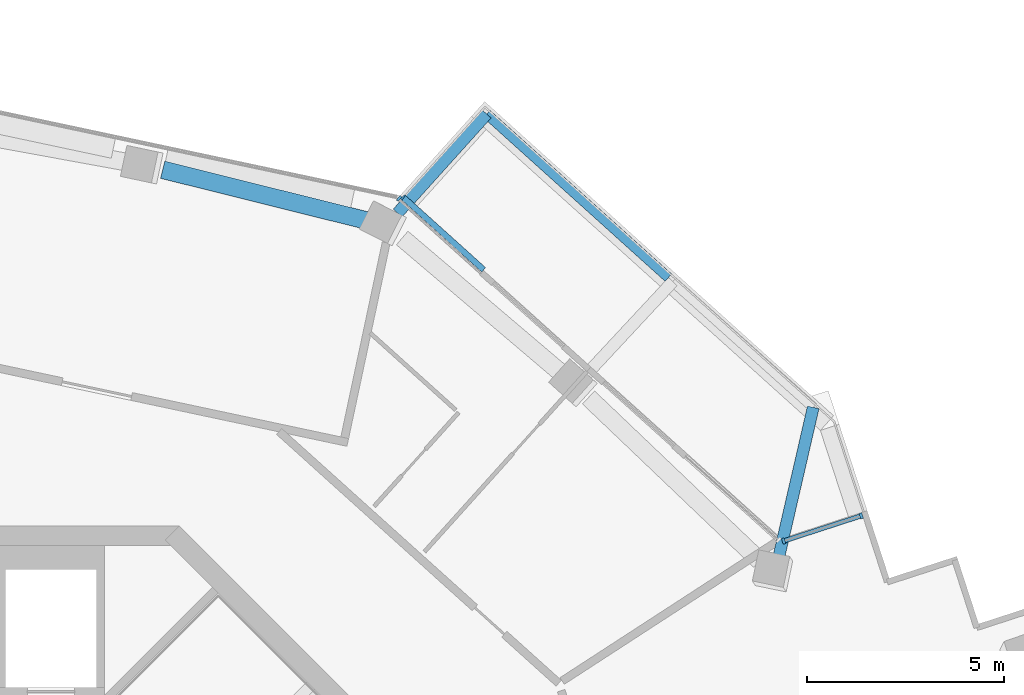
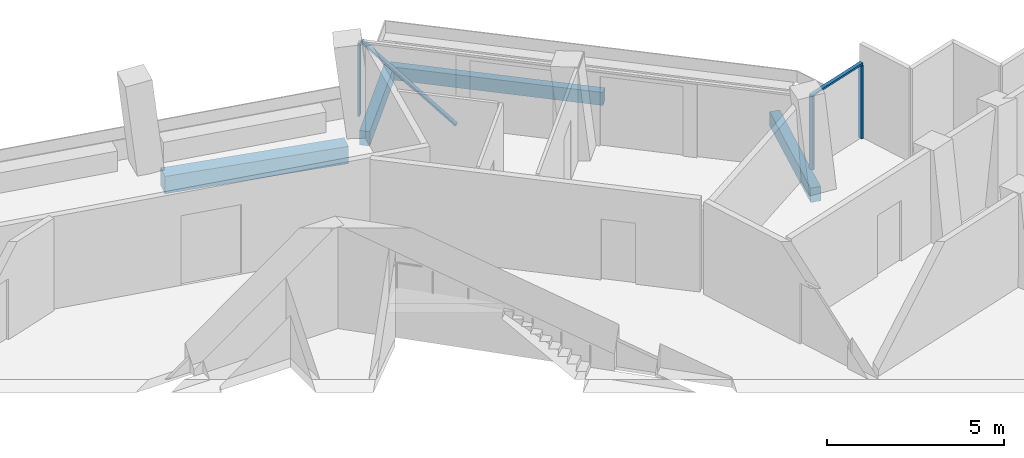
# One storey, part 9 of 22: 5 members, 4 beams, 2 elements without a shape of their own.
"""IFC4 building model written with IfcOpenShell, lengths in metres."""

from ifc_helpers import new_model, si_unit, direction, frame, origin, origin_2d, place, context, subcontext, project, spatial, rectangle, extrude, material, layer, layer_set, material_profile, profile_set, type_object, element, aggregate, save


model = new_model("IFC4")

# Units and contexts
model_context = context("Model", 3, precision=1e-05, world=origin(), true_north=direction((0.0, 1.0)))
body_context = subcontext(model_context, "Body", "Model", "MODEL_VIEW")
ifc_project = project(units=[si_unit("LENGTHUNIT", "METRE"), si_unit("AREAUNIT", "SQUARE_METRE"), si_unit("VOLUMEUNIT", "CUBIC_METRE"), si_unit("PLANEANGLEUNIT", "RADIAN"), si_unit("MASSUNIT", "GRAM", prefix="KILO")], contexts=[model_context])

# Site, building, storey
site_placement = place(None, origin())
site = spatial("IfcSite", under=ifc_project, at=site_placement, CompositionType="ELEMENT")
building_placement = place(site_placement, origin())
building = spatial("IfcBuilding", under=site, at=building_placement, Name="Verdalira Terraces Hotel", CompositionType="ELEMENT")
storey_placement = place(building_placement, frame((0.0, 0.0, 230.5)))
storey = spatial("IfcBuildingStorey", under=building, at=storey_placement, Name="L56", CompositionType="ELEMENT", Elevation=230.5)

# Beams
ifc_material_1 = material(Name="Concrete C40", Category="concrete")
ifc_material_profile_1 = material_profile(ifc_material_1, rectangle(XDim=0.300049, YDim=0.5, at=origin_2d()), Name="RC 300X500")
ifc_profile_set_1 = profile_set([ifc_material_profile_1], Name="Concrete C40")
beam_type_1 = type_object("IfcBeamType", Name="Balcony cantilever beam RC 300X500 C40", PredefinedType="BEAM", material=ifc_profile_set_1)
beam_1_placement = place(storey_placement, frame((20.983643, 13.155762, -0.560059), z_axis=(0.22424103, 0.974533714, 0.0), x_axis=(-0.974533714, 0.22424103, 0.0)))
element("IfcBeam", 1, at=beam_1_placement, inside=storey, type_object=beam_type_1, Name="Balcony cantilever beam R38-1", PredefinedType="BEAM", context=body_context, shape_type="SweptSolid", body=[
    extrude(rectangle(XDim=0.300049, YDim=0.5, at=origin_2d()), origin(), (0.0, 0.0, 1.0), 3.949951),
])
beam_2_placement = place(storey_placement, frame((11.333496, 21.928711, -0.560059), z_axis=(0.669140376, 0.743136029, 0.0), x_axis=(-0.743136029, 0.669140376, 0.0)))
element("IfcBeam", 2, at=beam_2_placement, inside=storey, type_object=beam_type_1, Name="Balcony cantilever beam R38-3", PredefinedType="BEAM", context=body_context, shape_type="SweptSolid", body=[
    extrude(rectangle(XDim=0.300049, YDim=0.5, at=origin_2d()), origin(), (0.0, 0.0, 1.0), 3.378662),
])
ifc_material_2 = material(Name="Concrete C40", Category="concrete")
ifc_material_profile_2 = material_profile(ifc_material_2, rectangle(XDim=0.25, YDim=0.449951, at=origin_2d()), Name="RC 250X450")
ifc_profile_set_2 = profile_set([ifc_material_profile_2], Name="Concrete C40")
beam_type_2 = type_object("IfcBeamType", Name="Balcony edge beam RC 250X450 C40", PredefinedType="BEAM", material=ifc_profile_set_2)
beam_3_placement = place(storey_placement, frame((18.19873, 20.293457, -0.534912), z_axis=(-0.743137385, 0.669138869, 0.0), x_axis=(-0.669138869, -0.743137385, 0.0)))
element("IfcBeam", 3, at=beam_3_placement, inside=storey, type_object=beam_type_2, Name="Balcony edge beam R38-2", PredefinedType="BEAM", context=body_context, shape_type="SweptSolid", body=[
    extrude(rectangle(XDim=0.25, YDim=0.449951, at=origin_2d()), origin(), (0.0, 0.0, 1.0), 6.196045),
])

# Curtain wall, member
ifc_material_3 = material(Name="Clear glass", Category="glass")
ifc_layer_1 = layer(ifc_material_3, 0.14990234375)
ifc_layer_set_1 = layer_set([ifc_layer_1], Name="CW1 curtain wall")
curtain_wall_type_1 = type_object("IfcCurtainWallType", Name="CW1 curtain wall", PredefinedType="NOTDEFINED", material=ifc_layer_set_1)
curtain_wall_1_placement = place(storey_placement, origin())
curtain_wall_1 = element("IfcCurtainWall", 4, at=curtain_wall_1_placement, inside=storey, type_object=curtain_wall_type_1, Name="CW1 curtain wall L56 edge 39", PredefinedType="NOTDEFINED")
ifc_material_4 = material(Name="Terracotta frame", Category="masonry")
ifc_material_profile_3 = material_profile(ifc_material_4, rectangle(XDim=0.060059, YDim=0.149902, at=origin_2d()), Name="MU 60x150")
ifc_profile_set_3 = profile_set([ifc_material_profile_3], Name="Terracotta frame")
member_type_1 = type_object("IfcMemberType", Name="CW1 mullion 60x150", PredefinedType="MULLION", material=ifc_profile_set_3)
member_1_placement = place(storey_placement, frame((11.373779, 22.301025, 0.0), z_axis=(0.0, 0.0, 1.0), x_axis=(-0.743144825, 0.669130606, 0.0)))
member_1 = element("IfcMember", 5, at=member_1_placement, type_object=member_type_1, Name="CW1 mullion", PredefinedType="MULLION", context=body_context, shape_type="SweptSolid", body=[
    extrude(rectangle(XDim=0.060059, YDim=0.149902, at=origin_2d()), origin(), (0.0, 0.0, 1.0), 2.524902),
])

# Curtain wall, members
ifc_material_5 = material(Name="Clear glass", Category="glass")
ifc_layer_2 = layer(ifc_material_5, 0.14990234375)
ifc_layer_set_2 = layer_set([ifc_layer_2], Name="CW2 curtain wall")
curtain_wall_type_2 = type_object("IfcCurtainWallType", Name="CW2 curtain wall", PredefinedType="NOTDEFINED", material=ifc_layer_set_2)
curtain_wall_2_placement = place(storey_placement, origin())
curtain_wall_2 = element("IfcCurtainWall", 6, at=curtain_wall_2_placement, inside=storey, type_object=curtain_wall_type_2, Name="CW2 curtain wall L56 edge 38", PredefinedType="NOTDEFINED")
ifc_material_6 = material(Name="Terracotta frame", Category="masonry")
ifc_material_profile_4 = material_profile(ifc_material_6, rectangle(XDim=0.070068, YDim=0.149902, at=origin_2d()), Name="MU 70x150")
ifc_profile_set_4 = profile_set([ifc_material_profile_4], Name="Terracotta frame")
member_type_2 = type_object("IfcMemberType", Name="CW2 mullion 70x150", PredefinedType="MULLION", material=ifc_profile_set_4)
member_2_placement = place(storey_placement, frame((23.085205, 14.256592, 0.0), z_axis=(0.0, 0.0, 1.0), x_axis=(-0.951056516, -0.309016994, 0.0)))
member_2 = element("IfcMember", 7, at=member_2_placement, type_object=member_type_2, Name="CW2 mullion", PredefinedType="MULLION", context=body_context, shape_type="SweptSolid", body=[
    extrude(rectangle(XDim=0.070068, YDim=0.149902, at=origin_2d()), origin(), (0.0, 0.0, 1.0), 2.524902),
])
member_3_placement = place(storey_placement, frame((21.118896, 13.617676, 0.0), z_axis=(0.0, 0.0, 1.0), x_axis=(-0.951056516, -0.309016994, 0.0)))
member_3 = element("IfcMember", 8, at=member_3_placement, type_object=member_type_2, Name="CW2 mullion", PredefinedType="MULLION", context=body_context, shape_type="SweptSolid", body=[
    extrude(rectangle(XDim=0.070068, YDim=0.149902, at=origin_2d()), origin(), (0.0, 0.0, 1.0), 2.524902),
])
ifc_material_7 = material(Name="Terracotta frame", Category="masonry")
ifc_material_profile_5 = material_profile(ifc_material_7, rectangle(XDim=0.11499, YDim=0.064941, at=origin_2d()), Name="TR 65x115")
ifc_profile_set_5 = profile_set([ifc_material_profile_5], Name="Terracotta frame")
member_type_3 = type_object("IfcMemberType", Name="CW2 transom 65x115", PredefinedType="USERDEFINED", material=ifc_profile_set_5)
member_4_placement = place(storey_placement, frame((23.118652, 14.267334, 2.557617), z_axis=(-0.951043301, -0.309057664, 0.0), x_axis=(0.309057664, -0.951043301, 0.0)))
member_4 = element("IfcMember", 9, at=member_4_placement, type_object=member_type_3, Name="CW2 transom", ObjectType="TRANSOM", PredefinedType="USERDEFINED", context=body_context, shape_type="SweptSolid", body=[
    extrude(rectangle(XDim=0.11499, YDim=0.064941, at=origin_2d()), origin(), (0.0, 0.0, 1.0), 2.137695),
])
aggregate(curtain_wall_2, [member_2, member_3, member_4])

# Member
ifc_material_8 = material(Name="Terracotta frame", Category="masonry")
ifc_material_profile_6 = material_profile(ifc_material_8, rectangle(XDim=0.149902, YDim=0.060059, at=origin_2d()), Name="GB 60x150")
ifc_profile_set_6 = profile_set([ifc_material_profile_6], Name="Terracotta frame")
member_type_4 = type_object("IfcMemberType", Name="Diagonal glazing bar 60x150", PredefinedType="USERDEFINED", material=ifc_profile_set_6)
member_5_placement = place(storey_placement, frame((13.501221, 20.505127, 0.023438), z_axis=(-0.549954555, 0.495224138, 0.672534787), x_axis=(-0.669162569, -0.743116045, 0.0)))
member_5 = element("IfcMember", 10, at=member_5_placement, type_object=member_type_4, Name="Diagonal glazing bar", ObjectType="GLAZING BAR", PredefinedType="USERDEFINED", context=body_context, shape_type="SweptSolid", body=[
    extrude(rectangle(XDim=0.149902, YDim=0.060059, at=origin_2d()), origin(), (0.0, 0.0, 1.0), 3.68457),
])

aggregate(curtain_wall_1, [member_1, member_5])

# Beam
ifc_material_9 = material(Name="Concrete C40", Category="concrete")
ifc_material_profile_7 = material_profile(ifc_material_9, rectangle(XDim=0.449951, YDim=0.600098, at=origin_2d()), Name="RC 450X600")
ifc_profile_set_7 = profile_set([ifc_material_profile_7], Name="Concrete C40")
beam_type_3 = type_object("IfcBeamType", Name="Spandrel beam RC 450X600 C40", PredefinedType="SPANDREL", material=ifc_profile_set_7)
beam_4_placement = place(storey_placement, frame((10.618164, 21.723389, -0.610107), z_axis=(-0.970339095, 0.241747885, 0.0), x_axis=(-0.241747885, -0.970339095, 0.0)))
element("IfcBeam", 11, at=beam_4_placement, inside=storey, type_object=beam_type_3, Name="Spandrel beam B20", PredefinedType="SPANDREL", context=body_context, shape_type="SweptSolid", body=[
    extrude(rectangle(XDim=0.449951, YDim=0.600098, at=origin_2d()), origin(), (0.0, 0.0, 1.0), 5.396973),
])

save(model, "model.ifc")
